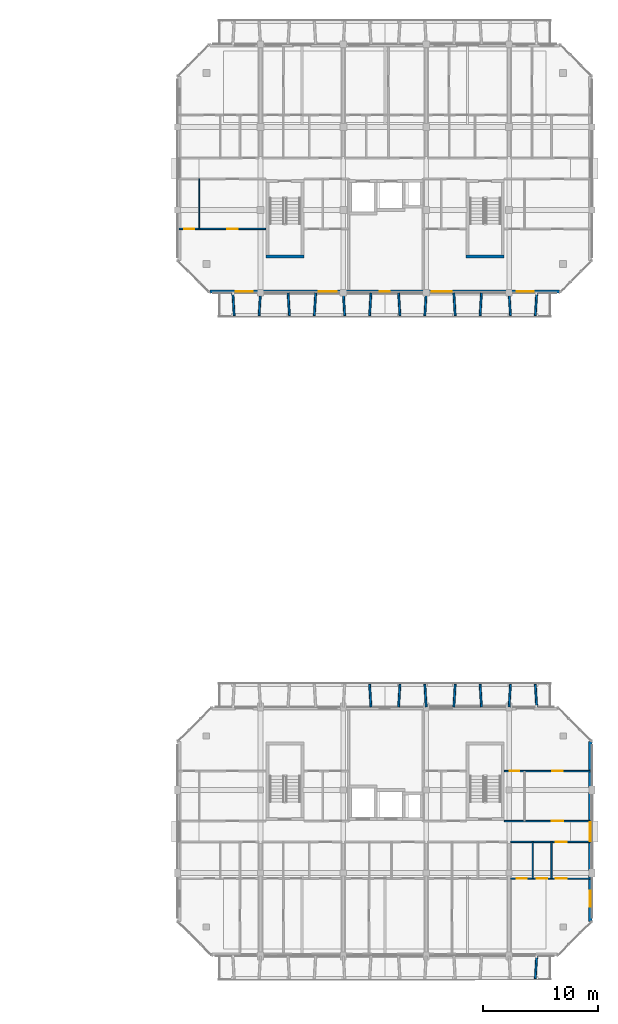
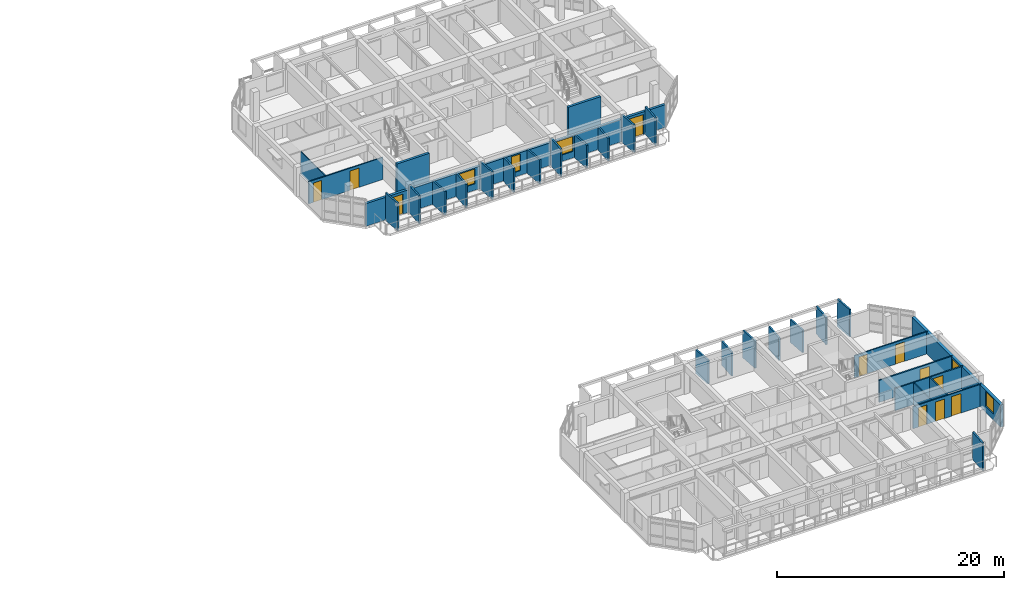
# One storey, part 24 of 43: 32 walls, 11 doors, 5 windows, 16 openings.
"""IFC4 building model written with IfcOpenShell, lengths in metres."""

from ifc_helpers import new_model, si_unit, direction, frame, frame_2d, origin, place, context, subcontext, project, spatial, rectangle, extrude, material, layer, layer_set, type_object, element, fill, save


model = new_model("IFC4")

# Units and contexts
model_context = context("Model", 3, precision=1e-05, world=origin(), true_north=direction((0.0, 1.0)))
body_context = subcontext(model_context, "Body", "Model", "MODEL_VIEW")
ifc_project = project(units=[si_unit("LENGTHUNIT", "METRE"), si_unit("AREAUNIT", "SQUARE_METRE"), si_unit("VOLUMEUNIT", "CUBIC_METRE"), si_unit("PLANEANGLEUNIT", "RADIAN"), si_unit("MASSUNIT", "GRAM", prefix="KILO")], contexts=[model_context])

# Site, building, storey
site_placement = place(None, origin())
site = spatial("IfcSite", under=ifc_project, at=site_placement, CompositionType="ELEMENT")
building_placement = place(site_placement, origin())
building = spatial("IfcBuilding", under=site, at=building_placement, Name="Ochrevale Crest", CompositionType="ELEMENT")
storey_placement = place(building_placement, frame((0.0, 0.0, 15.0)))
storey = spatial("IfcBuildingStorey", under=building, at=storey_placement, Name="L04", CompositionType="ELEMENT", Elevation=15.0)

# Wall, opening, door
ifc_material_1 = material(Name="Gypsum plasterboard", Category="gypsum")
ifc_layer_1 = layer(ifc_material_1, 0.139892578125)
ifc_layer_set_1 = layer_set([ifc_layer_1], Name="Gypsum plasterboard")
wall_type_1 = type_object("IfcWallType", Name="WL-COR-140", PredefinedType="PARTITIONING", material=ifc_layer_set_1)
wall_1_placement = place(storey_placement, frame((158.5400390625, 24.300048828125, 0.0), z_axis=(0.0, 0.0, 1.0), x_axis=(1.0, 0.0, 0.0)))
wall_1 = element("IfcWall", 1, at=wall_1_placement, inside=storey, type_object=wall_type_1, Name="Apartment C-L04-U5 corridor wall", PredefinedType="PARTITIONING", context=body_context, shape_type="SweptSolid", body=[
    extrude(rectangle(XDim=6.919921875, YDim=0.139892578125, at=frame_2d((3.4599609375, 0.0))), origin(), (0.0, 0.0, 1.0), 2.3798828125),
])
opening_1_placement = place(wall_1_placement, frame((3.89501953125, 0.0, 0.0)))
opening_1 = element("IfcOpeningElement", 2, at=opening_1_placement, cuts=wall_1, Name="Opening FD01", PredefinedType="OPENING", context=body_context, shape_type="SweptSolid", body=[
    extrude(rectangle(XDim=0.97998046875, YDim=2.10009765625, at=frame_2d((0.489990234375, 1.050048828125))), frame((0.0, 0.080078125, 0.0), z_axis=(0.0, -1.0, 0.0), x_axis=(1.0, 0.0, 0.0)), (0.0, 0.0, 1.0), 0.159912109375),
])
ifc_material_2 = material(Name="Solid-core FSC hardwood", Category="wood")
door_type_1 = type_object("IfcDoorType", Name="DR-APT-950", OperationType="NOTDEFINED", PredefinedType="DOOR", material=ifc_material_2)
door_1_placement = place(opening_1_placement, origin())
door_1 = element("IfcDoor", 3, at=door_1_placement, inside=storey, type_object=door_type_1, Name="Apartment C-L04-U5 entrance door", OperationType="SINGLE_SWING_LEFT", OverallHeight=2.10009765625, OverallWidth=0.97998046875, PredefinedType="DOOR", context=body_context, shape_type="SweptSolid", body=[
    extrude(rectangle(XDim=0.97998046875, YDim=2.10009765625, at=frame_2d((0.489990234375, 1.050048828125))), frame((0.0, 0.02490234375, 0.0), z_axis=(0.0, -1.0, 0.0), x_axis=(1.0, 0.0, 0.0)), (0.0, 0.0, 1.0), 0.050048828125),
])
fill(opening_1, door_1)

wall_2_placement = place(storey_placement, frame((157.989990234375, 26.10009765625, 0.0), z_axis=(0.0, 0.0, 1.0), x_axis=(1.0, 0.0, 0.0)))
wall_2 = element("IfcWall", 4, at=wall_2_placement, inside=storey, type_object=wall_type_1, Name="Suite C-L04-CE corridor wall", PredefinedType="PARTITIONING", context=body_context, shape_type="SweptSolid", body=[
    extrude(rectangle(XDim=7.469970703125, YDim=0.139892578125, at=frame_2d((3.73486328125, 0.0))), origin(), (0.0, 0.0, 1.0), 2.3798828125),
])
opening_2_placement = place(wall_2_placement, frame((5.10009765625, 0.0, 0.0), z_axis=(0.0, 0.0, 1.0), x_axis=(-1.0, 0.0, 0.0)))
opening_2 = element("IfcOpeningElement", 5, at=opening_2_placement, cuts=wall_2, Name="Opening FD01", PredefinedType="OPENING", context=body_context, shape_type="SweptSolid", body=[
    extrude(rectangle(XDim=0.97998046875, YDim=2.10009765625, at=frame_2d((0.489990234375, 1.050048828125))), frame((0.0, 0.080078125, 0.0), z_axis=(0.0, -1.0, 0.0), x_axis=(1.0, 0.0, 0.0)), (0.0, 0.0, 1.0), 0.159912109375),
])
door_2_placement = place(opening_2_placement, origin())
door_2 = element("IfcDoor", 6, at=door_2_placement, inside=storey, type_object=door_type_1, Name="Suite C-L04-CE entrance door", OperationType="SINGLE_SWING_RIGHT", OverallHeight=2.10009765625, OverallWidth=0.97998046875, PredefinedType="DOOR", context=body_context, shape_type="SweptSolid", body=[
    extrude(rectangle(XDim=0.97998046875, YDim=2.10009765625, at=frame_2d((0.489990234375, 1.050048828125))), frame((0.0, 0.02490234375, 0.0), z_axis=(0.0, -1.0, 0.0), x_axis=(1.0, 0.0, 0.0)), (0.0, 0.0, 1.0), 0.050048828125),
])
fill(opening_2, door_2)

# Walls
ifc_material_3 = material(Name="Precast concrete C50/60", Category="concrete")
ifc_layer_2 = layer(ifc_material_3, 0.2548828125)
ifc_layer_set_2 = layer_set([ifc_layer_2], Name="Precast concrete C50/60")
wall_type_2 = type_object("IfcWallType", Name="WL-CORE-255", PredefinedType="SHEAR", material=ifc_layer_set_2)
for number, where, z_axis, x_axis, name in (
    (7, (137.2724609375, 75.14990234375, 0.0), (0.0, 0.0, 1.0), (1.0, 0.0, 0.0), "Block D L04 Stair 1 precast core shear wall S"),
    (8, (154.672607421875, 75.14990234375, 0.0), (0.0, 0.0, 1.0), (1.0, 0.0, 0.0), "Block D L04 Stair 2 precast core shear wall S"),
):
    element("IfcWall", number, at=place(storey_placement, frame(where, z_axis=z_axis, x_axis=x_axis)), inside=storey, type_object=wall_type_2, Name=name, PredefinedType="SHEAR", context=body_context, shape_type="SweptSolid", body=[
        extrude(rectangle(XDim=3.304931640625, YDim=0.2548828125, at=frame_2d((1.65234375, 0.0))), origin(), (0.0, 0.0, 1.0), 3.14990234375),
    ])

# Wall, openings, windows
ifc_material_4 = material(Name="Clay face brickwork", Category="masonry")
ifc_layer_3 = layer(ifc_material_4, 0.2900390625)
ifc_layer_set_3 = layer_set([ifc_layer_3], Name="Clay face brickwork")
wall_type_3 = type_object("IfcWallType", Name="WL-EXT-BRICK-290", PredefinedType="SOLIDWALL", material=ifc_layer_set_3)
wall_3_placement = place(storey_placement, frame((165.455078125, 17.39990234375, 0.0), z_axis=(0.0, 0.0, 1.0), x_axis=(0.0, 1.0, 0.0)))
wall_3 = element("IfcWall", 9, at=wall_3_placement, inside=storey, type_object=wall_type_3, Name="Block C L04 external facade wall E3", PredefinedType="SOLIDWALL", context=body_context, shape_type="SweptSolid", body=[
    extrude(rectangle(XDim=15.60009765625, YDim=0.2900390625, at=frame_2d((7.800048828125, 0.0))), origin(), (0.0, 0.0, 1.0), 2.3798828125),
])
opening_3_placement = place(wall_3_placement, frame((6.97509765625, 0.0, 1.050048828125)))
opening_3 = element("IfcOpeningElement", 10, at=opening_3_placement, cuts=wall_3, Name="Opening W19", PredefinedType="OPENING", context=body_context, shape_type="SweptSolid", body=[
    extrude(rectangle(XDim=1.64990234375, YDim=1.14990234375, at=frame_2d((0.824951171875, 0.574951171875))), frame((0.0, 0.155029296875, 0.0), z_axis=(0.0, -1.0, 0.0), x_axis=(1.0, 0.0, 0.0)), (0.0, 0.0, 1.0), 0.31005859375),
])
opening_4_placement = place(wall_3_placement, frame((1.2548828125, 0.0, 0.669921875)))
opening_4 = element("IfcOpeningElement", 11, at=opening_4_placement, cuts=wall_3, Name="Opening W31", PredefinedType="OPENING", context=body_context, shape_type="SweptSolid", body=[
    extrude(rectangle(XDim=1.419921875, YDim=1.60009765625, at=frame_2d((0.7099609375, 0.800048828125))), frame((0.0, 0.155029296875, 0.0), z_axis=(0.0, -1.0, 0.0), x_axis=(1.0, 0.0, 0.0)), (0.0, 0.0, 1.0), 0.31005859375),
])
ifc_material_5 = material(Name="Anodised aluminium 6063-T5 and low-E double glazing", Category="aluminium")
window_type_1 = type_object("IfcWindowType", Name="WIN-W19", PartitioningType="SINGLE_PANEL", PredefinedType="WINDOW", material=ifc_material_5)
window_1_placement = place(opening_3_placement, origin())
window_1 = element("IfcWindow", 12, at=window_1_placement, inside=storey, type_object=window_type_1, Name="Block C L04 corridor end daylight window E", OverallHeight=1.14990234375, OverallWidth=1.64990234375, PartitioningType="SINGLE_PANEL", PredefinedType="WINDOW", context=body_context, shape_type="SweptSolid", body=[
    extrude(rectangle(XDim=1.64990234375, YDim=1.14990234375, at=frame_2d((0.824951171875, 0.574951171875))), frame((0.0, 0.030029296875, 0.0), z_axis=(0.0, -1.0, 0.0), x_axis=(1.0, 0.0, 0.0)), (0.0, 0.0, 1.0), 0.06005859375),
])
fill(opening_3, window_1)
window_type_2 = type_object("IfcWindowType", Name="WIN-W31", PartitioningType="SINGLE_PANEL", PredefinedType="WINDOW", material=ifc_material_5)
window_2_placement = place(opening_4_placement, origin())
window_2 = element("IfcWindow", 13, at=window_2_placement, inside=storey, type_object=window_type_2, Name="Block C L04 side suite window E", OverallHeight=1.60009765625, OverallWidth=1.419921875, PartitioningType="SINGLE_PANEL", PredefinedType="WINDOW", context=body_context, shape_type="SweptSolid", body=[
    extrude(rectangle(XDim=1.419921875, YDim=1.60009765625, at=frame_2d((0.7099609375, 0.800048828125))), frame((0.0, 0.030029296875, 0.0), z_axis=(0.0, -1.0, 0.0), x_axis=(1.0, 0.0, 0.0)), (0.0, 0.0, 1.0), 0.06005859375),
])
fill(opening_4, window_2)

# Wall, openings, doors, windows
ifc_material_6 = material(Name="Precast concrete C40/50", Category="concrete")
ifc_layer_4 = layer(ifc_material_6, 0.25)
ifc_layer_set_4 = layer_set([ifc_layer_4], Name="Precast concrete C40/50")
wall_type_4 = type_object("IfcWallType", Name="WL-EXT-GOLD-250", PredefinedType="SOLIDWALL", material=ifc_layer_set_4)
wall_4_placement = place(storey_placement, frame((132.39990234375, 72.125, 0.0), z_axis=(0.0, 0.0, 1.0), x_axis=(1.0, 0.0, 0.0)))
wall_4 = element("IfcWall", 14, at=wall_4_placement, inside=storey, type_object=wall_type_4, Name="Block D L04 external facade wall E1", PredefinedType="SOLIDWALL", context=body_context, shape_type="SweptSolid", body=[
    extrude(rectangle(XDim=30.400146484375, YDim=0.25, at=frame_2d((15.2001953125, 0.0))), origin(), (0.0, 0.0, 1.0), 2.429931640625),
])
opening_5_placement = place(wall_4_placement, frame((3.75, 0.0, 0.0), z_axis=(0.0, 0.0, 1.0), x_axis=(-1.0, 0.0, 0.0)))
opening_5 = element("IfcOpeningElement", 15, at=opening_5_placement, cuts=wall_4, Name="Opening BD01", PredefinedType="OPENING", context=body_context, shape_type="SweptSolid", body=[
    extrude(rectangle(XDim=1.5, YDim=2.14990234375, at=frame_2d((0.75, 1.074951171875))), frame((0.0, 0.135009765625, 0.0), z_axis=(0.0, -1.0, 0.0), x_axis=(1.0, 0.0, 0.0)), (0.0, 0.0, 1.0), 0.27001953125),
])
opening_6_placement = place(wall_4_placement, frame((28.14990234375, 0.0, 0.0), z_axis=(0.0, 0.0, 1.0), x_axis=(-1.0, 0.0, 0.0)))
opening_6 = element("IfcOpeningElement", 16, at=opening_6_placement, cuts=wall_4, Name="Opening BD01", PredefinedType="OPENING", context=body_context, shape_type="SweptSolid", body=[
    extrude(rectangle(XDim=1.5, YDim=2.14990234375, at=frame_2d((0.75, 1.074951171875))), frame((0.0, 0.135009765625, 0.0), z_axis=(0.0, -1.0, 0.0), x_axis=(1.0, 0.0, 0.0)), (0.0, 0.0, 1.0), 0.27001953125),
])
opening_7_placement = place(wall_4_placement, frame((14.75, 0.0, 0.5)))
opening_7 = element("IfcOpeningElement", 17, at=opening_7_placement, cuts=wall_4, Name="Opening W17", PredefinedType="OPENING", context=body_context, shape_type="SweptSolid", body=[
    extrude(rectangle(XDim=0.89990234375, YDim=1.800048828125, at=frame_2d((0.449951171875, 0.89990234375))), frame((0.0, 0.135009765625, 0.0), z_axis=(0.0, -1.0, 0.0), x_axis=(1.0, 0.0, 0.0)), (0.0, 0.0, 1.0), 0.27001953125),
])
opening_8_placement = place(wall_4_placement, frame((19.297607421875, 0.0, 0.699951171875)))
opening_8 = element("IfcOpeningElement", 18, at=opening_8_placement, cuts=wall_4, Name="Opening W10", PredefinedType="OPENING", context=body_context, shape_type="SweptSolid", body=[
    extrude(rectangle(XDim=1.719970703125, YDim=1.60009765625, at=frame_2d((0.85986328125, 0.800048828125))), frame((0.0, 0.135009765625, 0.0), z_axis=(0.0, -1.0, 0.0), x_axis=(1.0, 0.0, 0.0)), (0.0, 0.0, 1.0), 0.27001953125),
])
opening_9_placement = place(wall_4_placement, frame((9.452392578125, 0.0, 0.699951171875)))
opening_9 = element("IfcOpeningElement", 19, at=opening_9_placement, cuts=wall_4, Name="Opening W09", PredefinedType="OPENING", context=body_context, shape_type="SweptSolid", body=[
    extrude(rectangle(XDim=1.580078125, YDim=1.60009765625, at=frame_2d((0.7900390625, 0.800048828125))), frame((0.0, 0.135009765625, 0.0), z_axis=(0.0, -1.0, 0.0), x_axis=(1.0, 0.0, 0.0)), (0.0, 0.0, 1.0), 0.27001953125),
])
ifc_material_7 = material(Name="Anodised aluminium 6063-T5 and toughened glass", Category="aluminium")
door_type_2 = type_object("IfcDoorType", Name="DR-BAL-1500", OperationType="NOTDEFINED", PredefinedType="DOOR", material=ifc_material_7)
door_3_placement = place(opening_5_placement, origin())
door_3 = element("IfcDoor", 20, at=door_3_placement, inside=storey, type_object=door_type_2, Name="Block D L04 balcony door S1", OperationType="SINGLE_SWING_LEFT", OverallHeight=2.14990234375, OverallWidth=1.5, PredefinedType="DOOR", context=body_context, shape_type="SweptSolid", body=[
    extrude(rectangle(XDim=1.5, YDim=2.14990234375, at=frame_2d((0.75, 1.074951171875))), frame((0.0, 0.02490234375, 0.0), z_axis=(0.0, -1.0, 0.0), x_axis=(1.0, 0.0, 0.0)), (0.0, 0.0, 1.0), 0.050048828125),
])
fill(opening_5, door_3)
door_4_placement = place(opening_6_placement, origin())
door_4 = element("IfcDoor", 21, at=door_4_placement, inside=storey, type_object=door_type_2, Name="Block D L04 balcony door S5", OperationType="SINGLE_SWING_RIGHT", OverallHeight=2.14990234375, OverallWidth=1.5, PredefinedType="DOOR", context=body_context, shape_type="SweptSolid", body=[
    extrude(rectangle(XDim=1.5, YDim=2.14990234375, at=frame_2d((0.75, 1.074951171875))), frame((0.0, 0.02490234375, 0.0), z_axis=(0.0, -1.0, 0.0), x_axis=(1.0, 0.0, 0.0)), (0.0, 0.0, 1.0), 0.050048828125),
])
fill(opening_6, door_4)
window_type_3 = type_object("IfcWindowType", Name="WIN-W09", PartitioningType="SINGLE_PANEL", PredefinedType="WINDOW", material=ifc_material_5)
window_3_placement = place(opening_9_placement, origin())
window_3 = element("IfcWindow", 22, at=window_3_placement, inside=storey, type_object=window_type_3, Name="Block D L04 Suite D-L04-MW Courtyard Studio Living window", OverallHeight=1.60009765625, OverallWidth=1.580078125, PartitioningType="SINGLE_PANEL", PredefinedType="WINDOW", context=body_context, shape_type="SweptSolid", body=[
    extrude(rectangle(XDim=1.580078125, YDim=1.60009765625, at=frame_2d((0.7900390625, 0.800048828125))), frame((0.0, 0.030029296875, 0.0), z_axis=(0.0, -1.0, 0.0), x_axis=(1.0, 0.0, 0.0)), (0.0, 0.0, 1.0), 0.06005859375),
])
fill(opening_9, window_3)
window_type_4 = type_object("IfcWindowType", Name="WIN-W10", PartitioningType="SINGLE_PANEL", PredefinedType="WINDOW", material=ifc_material_5)
window_4_placement = place(opening_8_placement, origin())
window_4 = element("IfcWindow", 23, at=window_4_placement, inside=storey, type_object=window_type_4, Name="Block D L04 Suite D-L04-ME Garden Alcove Studio window", OverallHeight=1.60009765625, OverallWidth=1.719970703125, PartitioningType="SINGLE_PANEL", PredefinedType="WINDOW", context=body_context, shape_type="SweptSolid", body=[
    extrude(rectangle(XDim=1.719970703125, YDim=1.60009765625, at=frame_2d((0.85986328125, 0.800048828125))), frame((0.0, 0.030029296875, 0.0), z_axis=(0.0, -1.0, 0.0), x_axis=(1.0, 0.0, 0.0)), (0.0, 0.0, 1.0), 0.06005859375),
])
fill(opening_8, window_4)
window_type_5 = type_object("IfcWindowType", Name="WIN-W17", PartitioningType="SINGLE_PANEL", PredefinedType="WINDOW", material=ifc_material_5)
window_5_placement = place(opening_7_placement, origin())
window_5 = element("IfcWindow", 24, at=window_5_placement, inside=storey, type_object=window_type_5, Name="Block D L04 core lancet window", OverallHeight=1.800048828125, OverallWidth=0.89990234375, PartitioningType="SINGLE_PANEL", PredefinedType="WINDOW", context=body_context, shape_type="SweptSolid", body=[
    extrude(rectangle(XDim=0.89990234375, YDim=1.800048828125, at=frame_2d((0.449951171875, 0.89990234375))), frame((0.0, 0.030029296875, 0.0), z_axis=(0.0, -1.0, 0.0), x_axis=(1.0, 0.0, 0.0)), (0.0, 0.0, 1.0), 0.06005859375),
])
fill(opening_7, window_5)

# Walls
ifc_layer_5 = layer(ifc_material_6, 0.1650390625)
ifc_layer_set_5 = layer_set([ifc_layer_5], Name="Precast concrete C40/50")
wall_type_5 = type_object("IfcWallType", Name="WL-HC-CHEEK-165", PredefinedType="ELEMENTEDWALL", material=ifc_layer_set_5)
wall_5_placement = place(storey_placement, frame((160.800048828125, 14.3798828125, 0.0), z_axis=(0.0, 0.0, 1.0), x_axis=(-0.061170732449, -0.998127317276, 0.0)))
element("IfcWall", 25, at=wall_5_placement, inside=storey, type_object=wall_type_5, Name="Block C L04 S precast honeycomb cheek 12", PredefinedType="ELEMENTEDWALL", context=body_context, shape_type="SweptSolid", body=[
    extrude(rectangle(XDim=1.963623046875, YDim=0.1650390625, at=frame_2d((0.98193359375, 0.0))), origin(), (0.0, 0.0, 1.0), 2.949951171875),
])
for number, where, z_axis, x_axis, name in (
    (26, (146.39990234375, 36.02001953125, 0.0), (0.0, 0.0, 1.0), (-0.061046865508, 0.998134900808, 0.0), "Block C L04 N precast honeycomb cheek 6"),
    (27, (148.800048828125, 36.02001953125, 0.0), (0.0, 0.0, 1.0), (0.061046865508, 0.998134900808, 0.0), "Block C L04 N precast honeycomb cheek 7"),
):
    element("IfcWall", number, at=place(storey_placement, frame(where, z_axis=z_axis, x_axis=x_axis)), inside=storey, type_object=wall_type_5, Name=name, PredefinedType="ELEMENTEDWALL", context=body_context, shape_type="SweptSolid", body=[
        extrude(rectangle(XDim=1.963623046875, YDim=0.1650390625, at=frame_2d((0.98193359375, 0.0))), origin(), (0.0, 0.0, 1.0), 2.580078125),
    ])
wall_6_placement = place(storey_placement, frame((151.199951171875, 36.02001953125, 0.0), z_axis=(0.0, 0.0, 1.0), x_axis=(-0.061046865508, 0.998134900808, 0.0)))
element("IfcWall", 28, at=wall_6_placement, inside=storey, type_object=wall_type_5, Name="Block C L04 N precast honeycomb cheek 8", PredefinedType="ELEMENTEDWALL", context=body_context, shape_type="SweptSolid", body=[
    extrude(rectangle(XDim=1.963623046875, YDim=0.1650390625, at=frame_2d((0.98193359375, 0.0))), origin(), (0.0, 0.0, 1.0), 2.949951171875),
])
for number, where, z_axis, x_axis, name in (
    (29, (153.60009765625, 36.02001953125, 0.0), (0.0, 0.0, 1.0), (0.061046865508, 0.998134900808, 0.0), "Block C L04 N precast honeycomb cheek 9"),
    (30, (156.0, 36.02001953125, 0.0), (0.0, 0.0, 1.0), (-0.061170732449, 0.998127317276, 0.0), "Block C L04 N precast honeycomb cheek 10"),
):
    element("IfcWall", number, at=place(storey_placement, frame(where, z_axis=z_axis, x_axis=x_axis)), inside=storey, type_object=wall_type_5, Name=name, PredefinedType="ELEMENTEDWALL", context=body_context, shape_type="SweptSolid", body=[
        extrude(rectangle(XDim=1.963623046875, YDim=0.1650390625, at=frame_2d((0.98193359375, 0.0))), origin(), (0.0, 0.0, 1.0), 2.449951171875),
    ])
for number, where, z_axis, x_axis, name in (
    (31, (158.39990234375, 36.02001953125, 0.0), (0.0, 0.0, 1.0), (0.061170732449, 0.998127317276, 0.0), "Block C L04 N precast honeycomb cheek 11"),
    (32, (160.800048828125, 36.02001953125, 0.0), (0.0, 0.0, 1.0), (-0.061170732449, 0.998127317276, 0.0), "Block C L04 N precast honeycomb cheek 12"),
    (33, (134.39990234375, 71.97998046875, 0.0), (0.0, 0.0, 1.0), (0.061170732449, -0.998127317276, 0.0), "Block D L04 S precast honeycomb cheek 1"),
    (34, (136.800048828125, 71.97998046875, 0.0), (0.0, 0.0, 1.0), (-0.061170732449, -0.998127317276, 0.0), "Block D L04 S precast honeycomb cheek 2"),
):
    element("IfcWall", number, at=place(storey_placement, frame(where, z_axis=z_axis, x_axis=x_axis)), inside=storey, type_object=wall_type_5, Name=name, PredefinedType="ELEMENTEDWALL", context=body_context, shape_type="SweptSolid", body=[
        extrude(rectangle(XDim=1.963623046875, YDim=0.1650390625, at=frame_2d((0.98193359375, 0.0))), origin(), (0.0, 0.0, 1.0), 2.949951171875),
    ])
for number, where, z_axis, x_axis, name in (
    (35, (139.199951171875, 71.97998046875, 0.0), (0.0, 0.0, 1.0), (0.061170732449, -0.998127317276, 0.0), "Block D L04 S precast honeycomb cheek 3"),
    (36, (141.60009765625, 71.97998046875, 0.0), (0.0, 0.0, 1.0), (-0.061170732449, -0.998127317276, 0.0), "Block D L04 S precast honeycomb cheek 4"),
):
    element("IfcWall", number, at=place(storey_placement, frame(where, z_axis=z_axis, x_axis=x_axis)), inside=storey, type_object=wall_type_5, Name=name, PredefinedType="ELEMENTEDWALL", context=body_context, shape_type="SweptSolid", body=[
        extrude(rectangle(XDim=1.963623046875, YDim=0.1650390625, at=frame_2d((0.98193359375, 0.0))), origin(), (0.0, 0.0, 1.0), 2.530029296875),
    ])
wall_7_placement = place(storey_placement, frame((144.0, 71.97998046875, 0.0), z_axis=(0.0, 0.0, 1.0), x_axis=(0.061170732449, -0.998127317276, 0.0)))
element("IfcWall", 37, at=wall_7_placement, inside=storey, type_object=wall_type_5, Name="Block D L04 S precast honeycomb cheek 5", PredefinedType="ELEMENTEDWALL", context=body_context, shape_type="SweptSolid", body=[
    extrude(rectangle(XDim=1.963623046875, YDim=0.1650390625, at=frame_2d((0.98193359375, 0.0))), origin(), (0.0, 0.0, 1.0), 2.949951171875),
])
for number, where, z_axis, x_axis, name in (
    (38, (146.39990234375, 71.97998046875, 0.0), (0.0, 0.0, 1.0), (-0.061046865508, -0.998134900808, 0.0), "Block D L04 S precast honeycomb cheek 6"),
    (39, (148.800048828125, 71.97998046875, 0.0), (0.0, 0.0, 1.0), (0.061046865508, -0.998134900808, 0.0), "Block D L04 S precast honeycomb cheek 7"),
):
    element("IfcWall", number, at=place(storey_placement, frame(where, z_axis=z_axis, x_axis=x_axis)), inside=storey, type_object=wall_type_5, Name=name, PredefinedType="ELEMENTEDWALL", context=body_context, shape_type="SweptSolid", body=[
        extrude(rectangle(XDim=1.963623046875, YDim=0.1650390625, at=frame_2d((0.98193359375, 0.0))), origin(), (0.0, 0.0, 1.0), 2.580078125),
    ])
wall_8_placement = place(storey_placement, frame((151.199951171875, 71.97998046875, 0.0), z_axis=(0.0, 0.0, 1.0), x_axis=(-0.061046865508, -0.998134900808, 0.0)))
element("IfcWall", 40, at=wall_8_placement, inside=storey, type_object=wall_type_5, Name="Block D L04 S precast honeycomb cheek 8", PredefinedType="ELEMENTEDWALL", context=body_context, shape_type="SweptSolid", body=[
    extrude(rectangle(XDim=1.963623046875, YDim=0.1650390625, at=frame_2d((0.98193359375, 0.0))), origin(), (0.0, 0.0, 1.0), 2.949951171875),
])
for number, where, z_axis, x_axis, name in (
    (41, (153.60009765625, 71.97998046875, 0.0), (0.0, 0.0, 1.0), (0.061046865508, -0.998134900808, 0.0), "Block D L04 S precast honeycomb cheek 9"),
    (42, (156.0, 71.97998046875, 0.0), (0.0, 0.0, 1.0), (-0.061170732449, -0.998127317276, 0.0), "Block D L04 S precast honeycomb cheek 10"),
):
    element("IfcWall", number, at=place(storey_placement, frame(where, z_axis=z_axis, x_axis=x_axis)), inside=storey, type_object=wall_type_5, Name=name, PredefinedType="ELEMENTEDWALL", context=body_context, shape_type="SweptSolid", body=[
        extrude(rectangle(XDim=1.963623046875, YDim=0.1650390625, at=frame_2d((0.98193359375, 0.0))), origin(), (0.0, 0.0, 1.0), 2.449951171875),
    ])
for number, where, z_axis, x_axis, name in (
    (43, (158.39990234375, 71.97998046875, 0.0), (0.0, 0.0, 1.0), (0.061170732449, -0.998127317276, 0.0), "Block D L04 S precast honeycomb cheek 11"),
    (44, (160.800048828125, 71.97998046875, 0.0), (0.0, 0.0, 1.0), (-0.061170732449, -0.998127317276, 0.0), "Block D L04 S precast honeycomb cheek 12"),
):
    element("IfcWall", number, at=place(storey_placement, frame(where, z_axis=z_axis, x_axis=x_axis)), inside=storey, type_object=wall_type_5, Name=name, PredefinedType="ELEMENTEDWALL", context=body_context, shape_type="SweptSolid", body=[
        extrude(rectangle(XDim=1.963623046875, YDim=0.1650390625, at=frame_2d((0.98193359375, 0.0))), origin(), (0.0, 0.0, 1.0), 2.949951171875),
    ])
ifc_layer_6 = layer(ifc_material_1, 0.1201171875)
ifc_layer_set_6 = layer_set([ifc_layer_6], Name="Gypsum plasterboard")
wall_type_6 = type_object("IfcWallType", Name="WL-PART-120", PredefinedType="PARTITIONING", material=ifc_layer_set_6)
wall_9_placement = place(storey_placement, frame((162.10009765625, 21.10009765625, 0.0), z_axis=(0.0, 0.0, 1.0), x_axis=(0.0, 1.0, 0.0)))
element("IfcWall", 45, at=wall_9_placement, inside=storey, type_object=wall_type_6, Name="Apartment C-L04-U5 kitchen-foyer wall", PredefinedType="PARTITIONING", context=body_context, shape_type="SweptSolid", body=[
    extrude(rectangle(XDim=3.199951171875, YDim=0.1201171875, at=frame_2d((1.60009765625, 0.0))), origin(), (0.0, 0.0, 1.0), 2.375),
])

# Wall, openings, doors
wall_10_placement = place(storey_placement, frame((158.5400390625, 21.10009765625, 0.0), z_axis=(0.0, 0.0, 1.0), x_axis=(1.0, 0.0, 0.0)))
wall_10 = element("IfcWall", 46, at=wall_10_placement, inside=storey, type_object=wall_type_6, Name="Apartment C-L04-U5 central partition", PredefinedType="PARTITIONING", context=body_context, shape_type="SweptSolid", body=[
    extrude(rectangle(XDim=6.919921875, YDim=0.1201171875, at=frame_2d((3.4599609375, 0.0))), origin(), (0.0, 0.0, 1.0), 2.3798828125),
])
opening_10_placement = place(wall_10_placement, frame((1.380126953125, 0.0, 0.0), z_axis=(0.0, 0.0, 1.0), x_axis=(-1.0, 0.0, 0.0)))
opening_10 = element("IfcOpeningElement", 47, at=opening_10_placement, cuts=wall_10, Name="Opening ID01", PredefinedType="OPENING", context=body_context, shape_type="SweptSolid", body=[
    extrude(rectangle(XDim=0.85009765625, YDim=2.080078125, at=frame_2d((0.425048828125, 1.0400390625))), frame((0.0, 0.070068359375, 0.0), z_axis=(0.0, -1.0, 0.0), x_axis=(1.0, 0.0, 0.0)), (0.0, 0.0, 1.0), 0.14013671875),
])
opening_11_placement = place(wall_10_placement, frame((2.284912109375, 0.0, 0.0)))
opening_11 = element("IfcOpeningElement", 48, at=opening_11_placement, cuts=wall_10, Name="Opening ID02", PredefinedType="OPENING", context=body_context, shape_type="SweptSolid", body=[
    extrude(rectangle(XDim=0.89990234375, YDim=2.080078125, at=frame_2d((0.449951171875, 1.0400390625))), frame((0.0, 0.070068359375, 0.0), z_axis=(0.0, -1.0, 0.0), x_axis=(1.0, 0.0, 0.0)), (0.0, 0.0, 1.0), 0.14013671875),
])
opening_12_placement = place(wall_10_placement, frame((4.85986328125, 0.0, 0.0), z_axis=(0.0, 0.0, 1.0), x_axis=(-1.0, 0.0, 0.0)))
opening_12 = element("IfcOpeningElement", 49, at=opening_12_placement, cuts=wall_10, Name="Opening ID06", PredefinedType="OPENING", context=body_context, shape_type="SweptSolid", body=[
    extrude(rectangle(XDim=0.949951171875, YDim=2.080078125, at=frame_2d((0.47509765625, 1.0400390625))), frame((0.0, 0.070068359375, 0.0), z_axis=(0.0, -1.0, 0.0), x_axis=(1.0, 0.0, 0.0)), (0.0, 0.0, 1.0), 0.14013671875),
])
door_type_3 = type_object("IfcDoorType", Name="DR-INT-900", OperationType="NOTDEFINED", PredefinedType="DOOR", material=ifc_material_2)
door_5_placement = place(opening_11_placement, origin())
door_5 = element("IfcDoor", 50, at=door_5_placement, inside=storey, type_object=door_type_3, Name="Apartment C-L04-U5 Kitchen door", OperationType="SINGLE_SWING_LEFT", OverallHeight=2.080078125, OverallWidth=0.89990234375, PredefinedType="DOOR", context=body_context, shape_type="SweptSolid", body=[
    extrude(rectangle(XDim=0.89990234375, YDim=2.080078125, at=frame_2d((0.449951171875, 1.0400390625))), frame((0.0, 0.02490234375, 0.0), z_axis=(0.0, -1.0, 0.0), x_axis=(1.0, 0.0, 0.0)), (0.0, 0.0, 1.0), 0.050048828125),
])
fill(opening_11, door_5)
door_type_4 = type_object("IfcDoorType", Name="DR-INT-950", OperationType="NOTDEFINED", PredefinedType="DOOR", material=ifc_material_2)
door_6_placement = place(opening_12_placement, origin())
door_6 = element("IfcDoor", 51, at=door_6_placement, inside=storey, type_object=door_type_4, Name="Apartment C-L04-U5 Living Foyer door", OperationType="SINGLE_SWING_RIGHT", OverallHeight=2.080078125, OverallWidth=0.949951171875, PredefinedType="DOOR", context=body_context, shape_type="SweptSolid", body=[
    extrude(rectangle(XDim=0.949951171875, YDim=2.080078125, at=frame_2d((0.47509765625, 1.0400390625))), frame((0.0, 0.02490234375, 0.0), z_axis=(0.0, -1.0, 0.0), x_axis=(1.0, 0.0, 0.0)), (0.0, 0.0, 1.0), 0.050048828125),
])
fill(opening_12, door_6)
door_type_5 = type_object("IfcDoorType", Name="DR-WC-850", OperationType="NOTDEFINED", PredefinedType="DOOR", material=ifc_material_2)
door_7_placement = place(opening_10_placement, origin())
door_7 = element("IfcDoor", 52, at=door_7_placement, inside=storey, type_object=door_type_5, Name="Apartment C-L04-U5 Bathroom door", OperationType="SINGLE_SWING_RIGHT", OverallHeight=2.080078125, OverallWidth=0.85009765625, PredefinedType="DOOR", context=body_context, shape_type="SweptSolid", body=[
    extrude(rectangle(XDim=0.85009765625, YDim=2.080078125, at=frame_2d((0.425048828125, 1.0400390625))), frame((0.0, 0.02490234375, 0.0), z_axis=(0.0, -1.0, 0.0), x_axis=(1.0, 0.0, 0.0)), (0.0, 0.0, 1.0), 0.050048828125),
])
fill(opening_10, door_7)

wall_11_placement = place(storey_placement, frame((157.989990234375, 30.449951171875, 0.0), z_axis=(0.0, 0.0, 1.0), x_axis=(1.0, 0.0, 0.0)))
wall_11 = element("IfcWall", 53, at=wall_11_placement, inside=storey, type_object=wall_type_6, Name="Suite C-L04-CE internal wall", PredefinedType="PARTITIONING", context=body_context, shape_type="SweptSolid", body=[
    extrude(rectangle(XDim=7.469970703125, YDim=0.1201171875, at=frame_2d((3.73486328125, 0.0))), origin(), (0.0, 0.0, 1.0), 2.3798828125),
])
opening_13_placement = place(wall_11_placement, frame((0.449951171875, 0.0, 0.0)))
opening_13 = element("IfcOpeningElement", 54, at=opening_13_placement, cuts=wall_11, Name="Opening ID01", PredefinedType="OPENING", context=body_context, shape_type="SweptSolid", body=[
    extrude(rectangle(XDim=0.85009765625, YDim=2.080078125, at=frame_2d((0.425048828125, 1.0400390625))), frame((0.0, 0.070068359375, 0.0), z_axis=(0.0, -1.0, 0.0), x_axis=(1.0, 0.0, 0.0)), (0.0, 0.0, 1.0), 0.14013671875),
])
opening_14_placement = place(wall_11_placement, frame((5.06982421875, 0.0, 0.0), z_axis=(0.0, 0.0, 1.0), x_axis=(-1.0, 0.0, 0.0)))
opening_14 = element("IfcOpeningElement", 55, at=opening_14_placement, cuts=wall_11, Name="Opening ID04", PredefinedType="OPENING", context=body_context, shape_type="SweptSolid", body=[
    extrude(rectangle(XDim=0.919921875, YDim=2.080078125, at=frame_2d((0.4599609375, 1.0400390625))), frame((0.0, 0.070068359375, 0.0), z_axis=(0.0, -1.0, 0.0), x_axis=(1.0, 0.0, 0.0)), (0.0, 0.0, 1.0), 0.14013671875),
])
door_type_6 = type_object("IfcDoorType", Name="DR-INT-920", OperationType="NOTDEFINED", PredefinedType="DOOR", material=ifc_material_2)
door_8_placement = place(opening_14_placement, origin())
door_8 = element("IfcDoor", 56, at=door_8_placement, inside=storey, type_object=door_type_6, Name="Suite C-L04-CE Master Bedroom door", OperationType="SINGLE_SWING_RIGHT", OverallHeight=2.080078125, OverallWidth=0.919921875, PredefinedType="DOOR", context=body_context, shape_type="SweptSolid", body=[
    extrude(rectangle(XDim=0.919921875, YDim=2.080078125, at=frame_2d((0.4599609375, 1.0400390625))), frame((0.0, 0.02490234375, 0.0), z_axis=(0.0, -1.0, 0.0), x_axis=(1.0, 0.0, 0.0)), (0.0, 0.0, 1.0), 0.050048828125),
])
fill(opening_14, door_8)
door_9_placement = place(opening_13_placement, origin())
door_9 = element("IfcDoor", 57, at=door_9_placement, inside=storey, type_object=door_type_5, Name="Suite C-L04-CE Bathroom door", OperationType="SINGLE_SWING_LEFT", OverallHeight=2.080078125, OverallWidth=0.85009765625, PredefinedType="DOOR", context=body_context, shape_type="SweptSolid", body=[
    extrude(rectangle(XDim=0.85009765625, YDim=2.080078125, at=frame_2d((0.425048828125, 1.0400390625))), frame((0.0, 0.02490234375, 0.0), z_axis=(0.0, -1.0, 0.0), x_axis=(1.0, 0.0, 0.0)), (0.0, 0.0, 1.0), 0.050048828125),
])
fill(opening_13, door_9)

wall_12_placement = place(storey_placement, frame((129.739990234375, 77.550048828125, 0.0), z_axis=(0.0, 0.0, 1.0), x_axis=(1.0, 0.0, 0.0)))
wall_12 = element("IfcWall", 58, at=wall_12_placement, inside=storey, type_object=wall_type_6, Name="Suite D-L04-CW internal wall", PredefinedType="PARTITIONING", context=body_context, shape_type="SweptSolid", body=[
    extrude(rectangle(XDim=7.52001953125, YDim=0.1201171875, at=frame_2d((3.760009765625, 0.0))), origin(), (0.0, 0.0, 1.0), 2.3798828125),
])
opening_15_placement = place(wall_12_placement, frame((1.300048828125, 0.0, 0.0), z_axis=(0.0, 0.0, 1.0), x_axis=(-1.0, 0.0, 0.0)))
opening_15 = element("IfcOpeningElement", 59, at=opening_15_placement, cuts=wall_12, Name="Opening ID01", PredefinedType="OPENING", context=body_context, shape_type="SweptSolid", body=[
    extrude(rectangle(XDim=0.85009765625, YDim=2.080078125, at=frame_2d((0.425048828125, 1.0400390625))), frame((0.0, 0.070068359375, 0.0), z_axis=(0.0, -1.0, 0.0), x_axis=(1.0, 0.0, 0.0)), (0.0, 0.0, 1.0), 0.14013671875),
])
opening_16_placement = place(wall_12_placement, frame((4.175048828125, 0.0, 0.0)))
opening_16 = element("IfcOpeningElement", 60, at=opening_16_placement, cuts=wall_12, Name="Opening ID04", PredefinedType="OPENING", context=body_context, shape_type="SweptSolid", body=[
    extrude(rectangle(XDim=0.919921875, YDim=2.080078125, at=frame_2d((0.4599609375, 1.0400390625))), frame((0.0, 0.070068359375, 0.0), z_axis=(0.0, -1.0, 0.0), x_axis=(1.0, 0.0, 0.0)), (0.0, 0.0, 1.0), 0.14013671875),
])
door_10_placement = place(opening_16_placement, origin())
door_10 = element("IfcDoor", 61, at=door_10_placement, inside=storey, type_object=door_type_6, Name="Suite D-L04-CW Quiet Reading Room door", OperationType="SINGLE_SWING_LEFT", OverallHeight=2.080078125, OverallWidth=0.919921875, PredefinedType="DOOR", context=body_context, shape_type="SweptSolid", body=[
    extrude(rectangle(XDim=0.919921875, YDim=2.080078125, at=frame_2d((0.4599609375, 1.0400390625))), frame((0.0, 0.02490234375, 0.0), z_axis=(0.0, -1.0, 0.0), x_axis=(1.0, 0.0, 0.0)), (0.0, 0.0, 1.0), 0.050048828125),
])
fill(opening_16, door_10)
door_11_placement = place(opening_15_placement, origin())
door_11 = element("IfcDoor", 62, at=door_11_placement, inside=storey, type_object=door_type_5, Name="Suite D-L04-CW Bathroom door", OperationType="SINGLE_SWING_RIGHT", OverallHeight=2.080078125, OverallWidth=0.85009765625, PredefinedType="DOOR", context=body_context, shape_type="SweptSolid", body=[
    extrude(rectangle(XDim=0.85009765625, YDim=2.080078125, at=frame_2d((0.425048828125, 1.0400390625))), frame((0.0, 0.02490234375, 0.0), z_axis=(0.0, -1.0, 0.0), x_axis=(1.0, 0.0, 0.0)), (0.0, 0.0, 1.0), 0.050048828125),
])
fill(opening_15, door_11)

# Walls
ifc_layer_7 = layer(ifc_material_1, 0.10009765625)
ifc_layer_set_7 = layer_set([ifc_layer_7], Name="Gypsum plasterboard")
wall_type_7 = type_object("IfcWallType", Name="WL-WET-100", PredefinedType="PARTITIONING", material=ifc_layer_set_7)
wall_13_placement = place(storey_placement, frame((160.449951171875, 21.10009765625, 0.0), z_axis=(0.0, 0.0, 1.0), x_axis=(0.0, 1.0, 0.0)))
element("IfcWall", 63, at=wall_13_placement, inside=storey, type_object=wall_type_7, Name="Apartment C-L04-U5 bath-kitchen wall", PredefinedType="PARTITIONING", context=body_context, shape_type="SweptSolid", body=[
    extrude(rectangle(XDim=3.199951171875, YDim=0.10009765625, at=frame_2d((1.60009765625, 0.0))), origin(), (0.0, 0.0, 1.0), 2.375),
])
wall_14_placement = place(storey_placement, frame((131.489990234375, 77.550048828125, 0.0), z_axis=(0.0, 0.0, 1.0), x_axis=(0.0, 1.0, 0.0)))
element("IfcWall", 64, at=wall_14_placement, inside=storey, type_object=wall_type_7, Name="Suite D-L04-CW bathroom divider", PredefinedType="PARTITIONING", context=body_context, shape_type="SweptSolid", body=[
    extrude(rectangle(XDim=4.349853515625, YDim=0.10009765625, at=frame_2d((2.1748046875, 0.0))), origin(), (0.0, 0.0, 1.0), 2.375),
])

save(model, "model.ifc")
